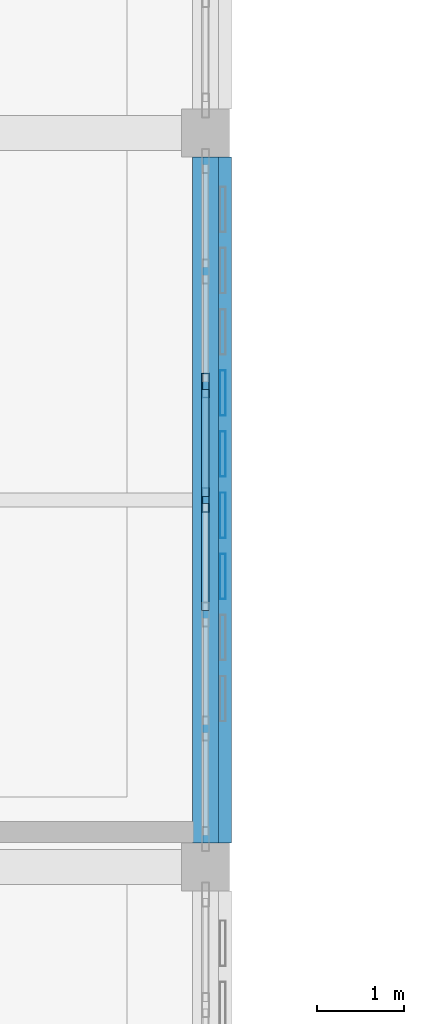
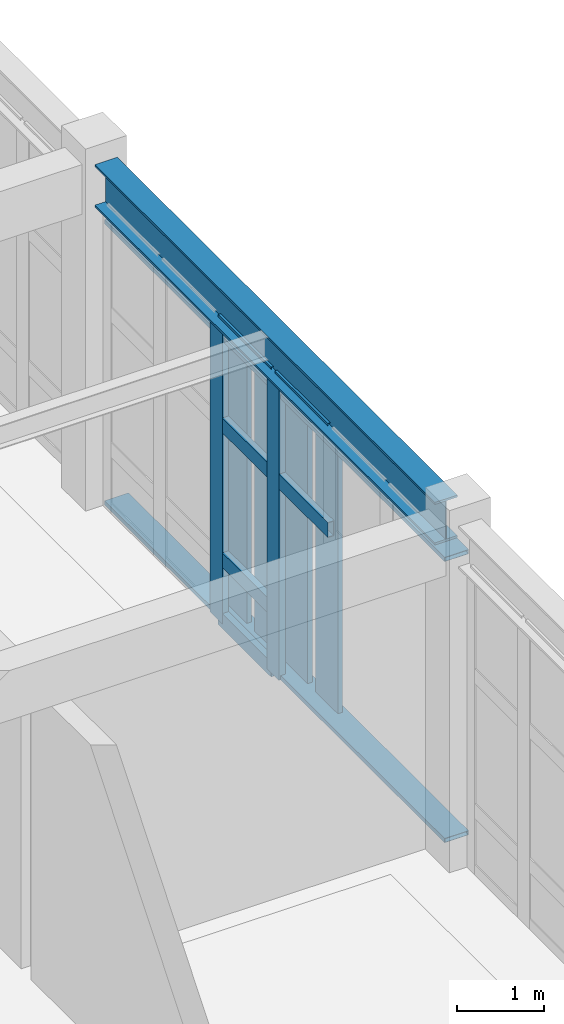
# One storey, part 20 of 77: 14 members, 1 beam, 1 element without a shape of its own.
"""IFC4 building model written with IfcOpenShell, lengths in metres."""

from ifc_helpers import new_model, si_unit, direction, frame, origin, origin_2d, place, context, subcontext, project, spatial, hollow_rectangle, i_section, extrude, material, layer, layer_set, material_profile, profile_set, type_object, element, aggregate, save


model = new_model("IFC4")

# Units and contexts
model_context = context("Model", 3, precision=1e-05, world=origin(), true_north=direction((0.0, 1.0)))
body_context = subcontext(model_context, "Body", "Model", "MODEL_VIEW")
ifc_project = project(units=[si_unit("LENGTHUNIT", "METRE"), si_unit("AREAUNIT", "SQUARE_METRE"), si_unit("VOLUMEUNIT", "CUBIC_METRE"), si_unit("PLANEANGLEUNIT", "RADIAN"), si_unit("MASSUNIT", "GRAM", prefix="KILO")], contexts=[model_context])

# Site, building, storey
site_placement = place(None, origin())
site = spatial("IfcSite", under=ifc_project, at=site_placement, CompositionType="ELEMENT")
building_placement = place(site_placement, origin())
building = spatial("IfcBuilding", under=site, at=building_placement, Name="Krzemoval Escarpment Law Courts", CompositionType="ELEMENT")
storey_placement = place(building_placement, frame((0.0, 0.0, 15.300048828125)))
storey = spatial("IfcBuildingStorey", under=building, at=storey_placement, Name="L03", CompositionType="ELEMENT", Elevation=15.300048828125)

# Curtain wall, members
ifc_material_1 = material(Name="Aluminium 6063-T6", Category="aluminium")
ifc_layer = layer(ifc_material_1, 0.280029296875)
ifc_layer_set = layer_set([ifc_layer], Name="Aluminium 6063-T6")
curtain_wall_type = type_object("IfcCurtainWallType", Name="CW-HALL-5100", PredefinedType="USERDEFINED", material=ifc_layer_set)
curtain_wall_placement = place(storey_placement, origin())
curtain_wall = element("IfcCurtainWall", 1, at=curtain_wall_placement, inside=storey, type_object=curtain_wall_type, Name="Unitised Curtain Wall FCW-L03-109", ObjectType="UNITISED_CURTAIN_WALL", PredefinedType="USERDEFINED")
ifc_material_2 = material(Name="Aluminium 6063-T6", Category="aluminium")
ifc_material_profile_1 = material_profile(ifc_material_2, hollow_rectangle(XDim=0.0849609375, YDim=0.280029296875, WallThickness=0.005615234375, at=origin_2d()), Name="ALU M85x280")
ifc_profile_set_1 = profile_set([ifc_material_profile_1], Name="Aluminium 6063-T6")
member_type_1 = type_object("IfcMemberType", Name="CWM-85x280", PredefinedType="MULLION", material=ifc_profile_set_1)
member_1_placement = place(storey_placement, frame((42.0, 63.1083984375, 0.0), z_axis=(0.0, 0.0, 1.0), x_axis=(1.0, 0.0, 0.0)))
member_1 = element("IfcMember", 2, at=member_1_placement, type_object=member_type_1, Name="FCW-L03-109 mullion 3", PredefinedType="MULLION", context=body_context, shape_type="SweptSolid", body=[
    extrude(hollow_rectangle(XDim=0.0849609375, YDim=0.280029296875, WallThickness=0.005615234375, at=origin_2d()), origin(), (0.0, 0.0, 1.0), 4.239990234375),
])
member_2_placement = place(storey_placement, frame((42.0, 61.800048828125, 0.0), z_axis=(0.0, 0.0, 1.0), x_axis=(1.0, 0.0, 0.0)))
member_2 = element("IfcMember", 3, at=member_2_placement, type_object=member_type_1, Name="FCW-L03-109 mullion 4", PredefinedType="MULLION", context=body_context, shape_type="SweptSolid", body=[
    extrude(hollow_rectangle(XDim=0.0849609375, YDim=0.280029296875, WallThickness=0.005615234375, at=origin_2d()), origin(), (0.0, 0.0, 1.0), 4.239990234375),
])
ifc_material_3 = material(Name="Aluminium 6063-T6", Category="aluminium")
ifc_material_profile_2 = material_profile(ifc_material_3, hollow_rectangle(XDim=0.0849609375, YDim=0.2099609375, WallThickness=0.005615234375, at=origin_2d()), Name="ALU T85x210")
ifc_profile_set_2 = profile_set([ifc_material_profile_2], Name="Aluminium 6063-T6")
member_type_2 = type_object("IfcMemberType", Name="CWT-85x210", PredefinedType="USERDEFINED", material=ifc_profile_set_2)
member_3_placement = place(storey_placement, frame((42.0, 63.06591796875, 0.04248046875), z_axis=(0.0, -1.0, 0.0), x_axis=(1.0, 0.0, 0.0)))
member_3 = element("IfcMember", 4, at=member_3_placement, type_object=member_type_2, Name="FCW-L03-109 transom 3.1", ObjectType="TRANSOM", PredefinedType="USERDEFINED", context=body_context, shape_type="SweptSolid", body=[
    extrude(hollow_rectangle(XDim=0.0849609375, YDim=0.2099609375, WallThickness=0.005615234375, at=origin_2d()), origin(), (0.0, 0.0, 1.0), 1.223388671875),
])
member_4_placement = place(storey_placement, frame((42.0, 63.06591796875, 0.89990234375), z_axis=(0.0, -1.0, 0.0), x_axis=(1.0, 0.0, 0.0)))
member_4 = element("IfcMember", 5, at=member_4_placement, type_object=member_type_2, Name="FCW-L03-109 transom 3.2", ObjectType="TRANSOM", PredefinedType="USERDEFINED", context=body_context, shape_type="SweptSolid", body=[
    extrude(hollow_rectangle(XDim=0.0849609375, YDim=0.2099609375, WallThickness=0.005615234375, at=origin_2d()), origin(), (0.0, 0.0, 1.0), 1.223388671875),
])
member_5_placement = place(storey_placement, frame((42.0, 63.06591796875, 2.800048828125), z_axis=(0.0, -1.0, 0.0), x_axis=(1.0, 0.0, 0.0)))
member_5 = element("IfcMember", 6, at=member_5_placement, type_object=member_type_2, Name="FCW-L03-109 transom 3.3", ObjectType="TRANSOM", PredefinedType="USERDEFINED", context=body_context, shape_type="SweptSolid", body=[
    extrude(hollow_rectangle(XDim=0.0849609375, YDim=0.2099609375, WallThickness=0.005615234375, at=origin_2d()), origin(), (0.0, 0.0, 1.0), 1.223388671875),
])
member_6_placement = place(storey_placement, frame((42.0, 63.06591796875, 4.197509765625), z_axis=(0.0, -1.0, 0.0), x_axis=(1.0, 0.0, 0.0)))
member_6 = element("IfcMember", 7, at=member_6_placement, type_object=member_type_2, Name="FCW-L03-109 transom 3.4", ObjectType="TRANSOM", PredefinedType="USERDEFINED", context=body_context, shape_type="SweptSolid", body=[
    extrude(hollow_rectangle(XDim=0.0849609375, YDim=0.2099609375, WallThickness=0.005615234375, at=origin_2d()), origin(), (0.0, 0.0, 1.0), 1.223388671875),
])
member_7_placement = place(storey_placement, frame((42.0, 61.757568359375, 2.800048828125), z_axis=(0.0, -1.0, 0.0), x_axis=(1.0, 0.0, 0.0)))
member_7 = element("IfcMember", 8, at=member_7_placement, type_object=member_type_2, Name="FCW-L03-109 transom 4.3", ObjectType="TRANSOM", PredefinedType="USERDEFINED", context=body_context, shape_type="SweptSolid", body=[
    extrude(hollow_rectangle(XDim=0.0849609375, YDim=0.2099609375, WallThickness=0.005615234375, at=origin_2d()), origin(), (0.0, 0.0, 1.0), 1.223388671875),
])
member_8_placement = place(storey_placement, frame((42.0, 61.757568359375, 4.197509765625), z_axis=(0.0, -1.0, 0.0), x_axis=(1.0, 0.0, 0.0)))
member_8 = element("IfcMember", 9, at=member_8_placement, type_object=member_type_2, Name="FCW-L03-109 transom 4.4", ObjectType="TRANSOM", PredefinedType="USERDEFINED", context=body_context, shape_type="SweptSolid", body=[
    extrude(hollow_rectangle(XDim=0.0849609375, YDim=0.2099609375, WallThickness=0.005615234375, at=origin_2d()), origin(), (0.0, 0.0, 1.0), 1.223388671875),
])
aggregate(curtain_wall, [member_1, member_2, member_3, member_4, member_5, member_6, member_7, member_8])

# Members
ifc_material_4 = material(Name="Anodised Aluminium Alloy 6063-T6", Category="aluminium")
ifc_material_profile_3 = material_profile(ifc_material_4, hollow_rectangle(XDim=0.06005859375, YDim=0.320068359375, WallThickness=0.00390625, at=origin_2d()), Name="ALU LVR 60x320")
ifc_profile_set_3 = profile_set([ifc_material_profile_3], Name="Anodised Aluminium Alloy 6063-T6")
member_type_3 = type_object("IfcMemberType", Name="LVR-ALU-320", PredefinedType="USERDEFINED", material=ifc_profile_set_3)
for number, where, z_axis, x_axis, name in (
    (10, (42.139892578125, 65.72509765625, 0.030029296875), (0.0, -1.0, 0.0), (0.0, 0.0, 1.0), "Sunshade Support Rail FSR-L03-0728"),
    (11, (42.139892578125, 65.72509765625, 3.989990234375), (0.0, -1.0, 0.0), (0.0, 0.0, 1.0), "Sunshade Support Rail FSR-L03-0729"),
):
    element("IfcMember", number, at=place(storey_placement, frame(where, z_axis=z_axis, x_axis=x_axis)), inside=storey, type_object=member_type_3, Name=name, ObjectType="SUNSHADE_LOUVRE", PredefinedType="USERDEFINED", context=body_context, shape_type="SweptSolid", body=[
        extrude(hollow_rectangle(XDim=0.06005859375, YDim=0.320068359375, WallThickness=0.00390625, at=origin_2d()), origin(), (0.0, 0.0, 1.0), 7.85009765625),
    ])
ifc_material_5 = material(Name="Anodised Aluminium Alloy 6063-T6", Category="aluminium")
ifc_material_profile_4 = material_profile(ifc_material_5, hollow_rectangle(XDim=0.06494140625, YDim=0.52001953125, WallThickness=0.00439453125, at=origin_2d()), Name="ALU LVR 65x520")
ifc_profile_set_4 = profile_set([ifc_material_profile_4], Name="Anodised Aluminium Alloy 6063-T6")
member_type_4 = type_object("IfcMemberType", Name="LVR-ALU-520", PredefinedType="USERDEFINED", material=ifc_profile_set_4)
for number, where, z_axis, x_axis, name in (
    (12, (42.199951171875, 63.02490234375, 0.06005859375), (0.0, 0.0, 1.0), (1.0, 0.0, 0.0), "Sunshade Louvre Fin FLV-L03-0733"),
    (13, (42.199951171875, 62.324951171875, 0.06005859375), (0.0, 0.0, 1.0), (1.0, 0.0, 0.0), "Sunshade Louvre Fin FLV-L03-0734"),
    (14, (42.199951171875, 61.625, 0.06005859375), (0.0, 0.0, 1.0), (1.0, 0.0, 0.0), "Sunshade Louvre Fin FLV-L03-0735"),
    (15, (42.199951171875, 60.925048828125, 0.06005859375), (0.0, 0.0, 1.0), (1.0, 0.0, 0.0), "Sunshade Louvre Fin FLV-L03-0736"),
):
    element("IfcMember", number, at=place(storey_placement, frame(where, z_axis=z_axis, x_axis=x_axis)), inside=storey, type_object=member_type_4, Name=name, ObjectType="SUNSHADE_LOUVRE", PredefinedType="USERDEFINED", context=body_context, shape_type="SweptSolid", body=[
        extrude(hollow_rectangle(XDim=0.06494140625, YDim=0.52001953125, WallThickness=0.00439453125, at=origin_2d()), origin(), (0.0, 0.0, 1.0), 4.179931640625),
    ])

# Beam
ifc_material_6 = material(Name="Steel S355", Category="steel")
ifc_material_profile_5 = material_profile(ifc_material_6, i_section(OverallWidth=0.300048828125, OverallDepth=0.60009765625, WebThickness=0.015380859375, FlangeThickness=0.030029296875, at=origin_2d()), Name="HEB 600")
ifc_profile_set_5 = profile_set([ifc_material_profile_5], Name="Steel S355")
beam_type = type_object("IfcBeamType", Name="SPN-S355-HEB600", PredefinedType="SPANDREL", material=ifc_profile_set_5)
beam_placement = place(storey_placement, frame((42.0, 57.875, 4.5400390625), z_axis=(0.0, 1.0, 0.0), x_axis=(-1.0, 0.0, 0.0)))
element("IfcBeam", 16, at=beam_placement, inside=storey, type_object=beam_type, Name="Beam FG-L03-2266", PredefinedType="SPANDREL", context=body_context, shape_type="SweptSolid", body=[
    extrude(i_section(OverallWidth=0.300048828125, OverallDepth=0.60009765625, WebThickness=0.015380859375, FlangeThickness=0.030029296875, at=origin_2d()), origin(), (0.0, 0.0, 1.0), 7.85009765625),
])

save(model, "model.ifc")
